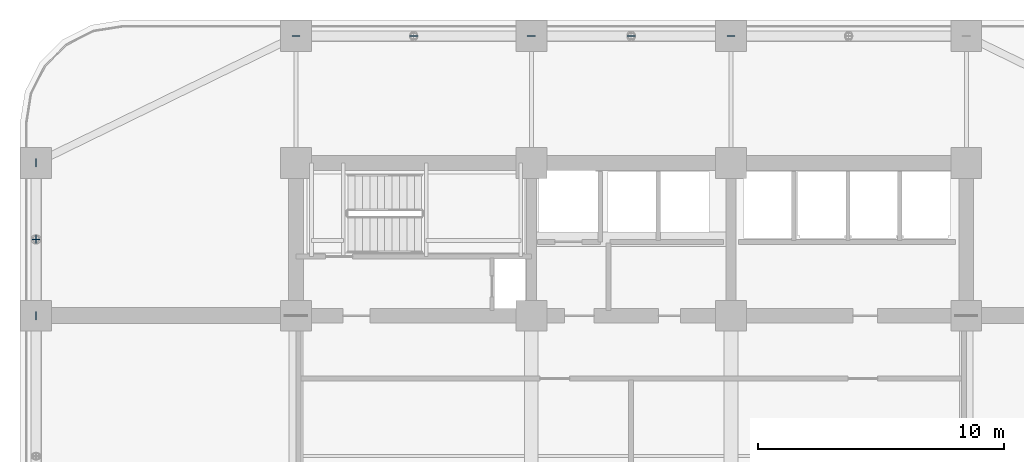
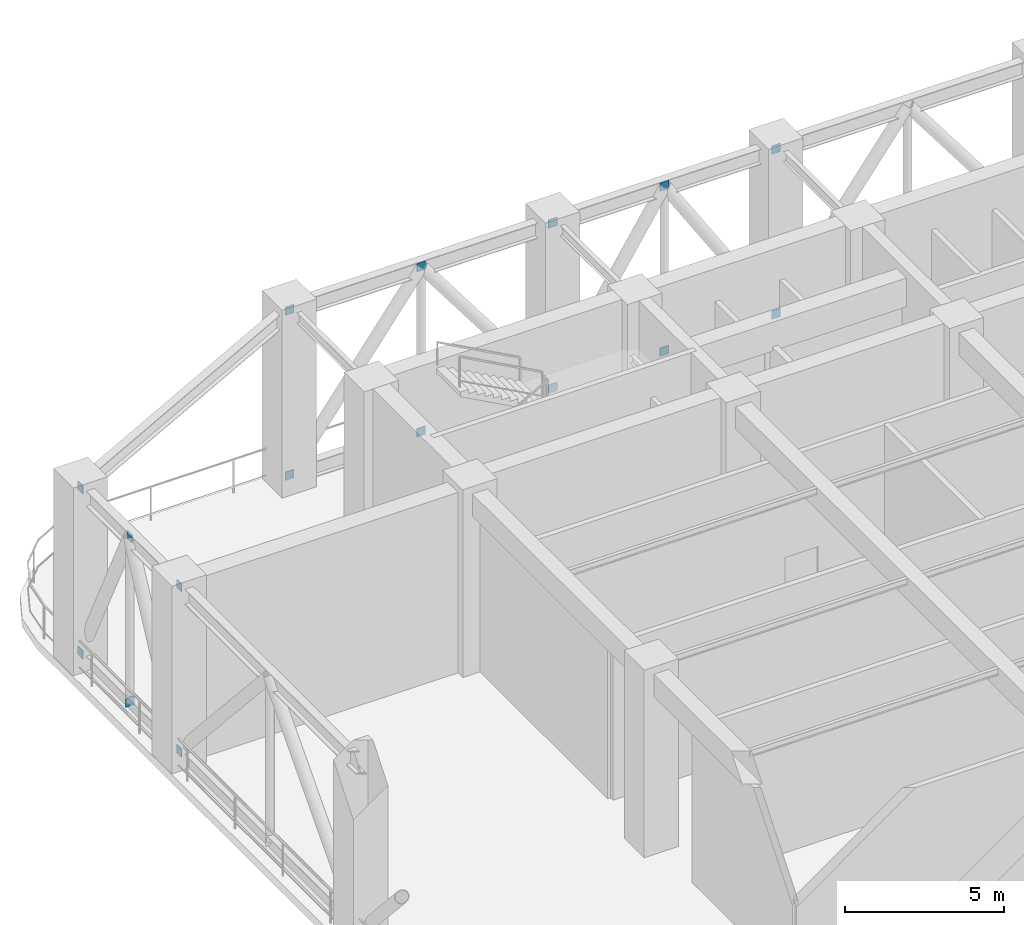
# One storey, part 16 of 20: 16 discrete accessories.
"""IFC4 building model written with IfcOpenShell, lengths in metres."""

import ifcopenshell
import ifcopenshell.guid

model = None  # the IFC model being written
_history = None  # IfcOwnerHistory: only IFC2X3 demands one
_inside = {}  # id of a spatial element -> (the spatial element, [elements in it])
_under = {}  # id of a project, library or spatial element -> (it, [spatial elements below it])
_declared = {}  # id of a project -> (the project, [libraries it declares])
_typed = {}  # id of a type object -> (the type object, [elements of that type])
_made_of = {}  # id of a material, layer set ... -> (it, [elements and type objects made of it])


def new_model(schema):
    """Start an empty IFC model of exactly this schema.

    Asked for "IFC4X3", IfcOpenShell would pick the latest addendum, in which some entities
    have other attributes; the version numbers below select the first issue.
    IFC2X3 requires an IfcOwnerHistory on every rooted entity: one is made here for all.
    """
    global model, _history
    if schema == "IFC4X3":
        model = ifcopenshell.file(schema_version=(4, 3, 0, 0))
    else:
        model = ifcopenshell.file(schema=schema)
    _inside.clear()
    _under.clear()
    _declared.clear()
    _typed.clear()
    _made_of.clear()
    _history = None
    if model.schema == "IFC2X3":
        org = make("IfcOrganization", Name="unknown")
        user = make(
            "IfcPersonAndOrganization",
            ThePerson=make("IfcPerson", FamilyName="unknown"),
            TheOrganization=org,
        )
        app = make(
            "IfcApplication",
            ApplicationDeveloper=org,
            Version="unknown",
            ApplicationFullName="unknown",
            ApplicationIdentifier="unknown",
        )
        _history = make(
            "IfcOwnerHistory",
            OwningUser=user,
            OwningApplication=app,
            ChangeAction="ADDED",
            CreationDate=0,
        )
    return model


def make(cls, **values):
    """One entity of the class cls with the attributes given. An attribute that is None is left unset."""
    return model.create_entity(
        cls, **{name: value for name, value in values.items() if value is not None}
    )


def rooted(cls, **values):
    """An entity with a GlobalId (a new one), such as an element, a storey or a relation."""
    return make(cls, GlobalId=ifcopenshell.guid.new(), OwnerHistory=_history, **values)


def si_unit(unit_type, name, prefix=None):
    """IfcSIUnit, for example si_unit("LENGTHUNIT", "METRE", prefix="MILLI")."""
    return make("IfcSIUnit", UnitType=unit_type, Prefix=prefix, Name=name)


def assignment(units):
    """IfcUnitAssignment: the units of a project."""
    return None if units is None else make("IfcUnitAssignment", Units=units)


def point(xyz):
    """IfcCartesianPoint."""
    return None if xyz is None else make("IfcCartesianPoint", Coordinates=xyz)


def direction(xyz):
    """IfcDirection."""
    return None if xyz is None else make("IfcDirection", DirectionRatios=xyz)


def frame(location, z_axis=None, x_axis=None):
    """IfcAxis2Placement3D, a coordinate frame: its origin and axes. An axis left out is left unset."""
    return make(
        "IfcAxis2Placement3D",
        Location=point(location),
        Axis=direction(z_axis),
        RefDirection=direction(x_axis),
    )


def frame_2d(location, x_axis=None):
    """IfcAxis2Placement2D, a coordinate frame in the plane: its origin and x axis."""
    return make(
        "IfcAxis2Placement2D", Location=point(location), RefDirection=direction(x_axis)
    )


def origin():
    """The frame at (0, 0, 0) with its axes left unset."""
    return frame((0.0, 0.0, 0.0))


def origin_2d():
    """The frame at (0, 0) in the plane with its x axis left unset."""
    return frame_2d((0.0, 0.0))


def place(relative_to, where):
    """IfcLocalPlacement: puts the frame where relative to a parent placement (None: the world)."""
    return make(
        "IfcLocalPlacement", PlacementRelTo=relative_to, RelativePlacement=where
    )


def context(
    kind, dimensions, precision=None, world=None, true_north=None, identifier=None
):
    """IfcGeometricRepresentationContext, for example the 3D "Model" context."""
    return make(
        "IfcGeometricRepresentationContext",
        ContextIdentifier=identifier,
        ContextType=kind,
        CoordinateSpaceDimension=dimensions,
        Precision=precision,
        WorldCoordinateSystem=world,
        TrueNorth=true_north,
    )


def subcontext(parent, identifier, kind, view, scale=None):
    """IfcGeometricRepresentationSubContext, for example "Body" below "Model"."""
    return make(
        "IfcGeometricRepresentationSubContext",
        ContextIdentifier=identifier,
        ContextType=kind,
        ParentContext=parent,
        TargetScale=scale,
        TargetView=view,
    )


def project(units=None, contexts=None):
    """IfcProject with its units and contexts."""
    return rooted(
        "IfcProject",
        Name="project",
        RepresentationContexts=contexts,
        UnitsInContext=assignment(units),
    )


def spatial(cls, under=None, at=None, **own):
    """A site, building, storey or space (cls), placed at a placement, below another one or the project."""
    s = rooted(cls, ObjectPlacement=at, **own)
    if under is not None:
        _under.setdefault(under.id(), (under, []))[1].append(s)
    return s


def profile(cls, at=None, kind="AREA", **sizes):
    """A parametric profile (cls). Its sizes go by their IFC names, for example OverallWidth=200.0."""
    return make(cls, ProfileType=kind, Position=at, **sizes)


def rectangle(**sizes):
    """IfcRectangleProfileDef."""
    return profile("IfcRectangleProfileDef", **sizes)


def extrude(swept, where, along, depth):
    """IfcExtrudedAreaSolid: the profile swept, set in the frame where, extruded along a direction by depth."""
    return make(
        "IfcExtrudedAreaSolid",
        SweptArea=swept,
        Position=where,
        ExtrudedDirection=direction(along),
        Depth=depth,
    )


def shape(context_of_items, identifier, shape_type, items):
    """IfcShapeRepresentation: the items that make up one representation, for example the "Body"."""
    return make(
        "IfcShapeRepresentation",
        ContextOfItems=context_of_items,
        RepresentationIdentifier=identifier,
        RepresentationType=shape_type,
        Items=items,
    )


def material(Name=None, Category=None):
    """IfcMaterial."""
    return make("IfcMaterial", Name=Name, Category=Category)


def layer(
    of_material, thickness, ventilated=None, Name=None, Category=None, Priority=None
):
    """IfcMaterialLayer: one layer of a wall or slab, of a material (None: an air gap)."""
    return make(
        "IfcMaterialLayer",
        Material=of_material,
        LayerThickness=thickness,
        IsVentilated=ventilated,
        Name=Name,
        Category=Category,
        Priority=Priority,
    )


def layer_set(layers, Name=None):
    """IfcMaterialLayerSet."""
    return make("IfcMaterialLayerSet", MaterialLayers=layers, LayerSetName=Name)


def made_of(thing, what):
    """Note that an element or type object is made of a material, layer set ...; save() writes the relation."""
    if what is not None:
        _made_of.setdefault(what.id(), (what, []))[1].append(thing)
    return thing


def type_object(cls, material=None, **own):
    """A type object (cls), such as IfcWallType, which elements share."""
    return made_of(rooted(cls, **own), material)


def element(
    cls,
    number,
    at=None,
    inside=None,
    cuts=None,
    type_object=None,
    material=None,
    context=None,
    identifier="Body",
    shape_type=None,
    held_by="IfcProductDefinitionShape",
    body=None,
    shapes=None,
    **own,
):
    """One element of the class cls, such as IfcWall. Its Tag is "e" and its number.

    at: its placement. inside: the storey or other place that contains it. cuts: it is an
    opening in that element (IfcRelVoidsElement). A single representation is given by context,
    identifier, shape_type and body (its items); several are given by shapes. held_by: the class
    of the entity that holds the representations. save() writes the other relations.
    """
    e = rooted(cls, Tag="e%d" % number, ObjectPlacement=at, **own)
    if body is not None:
        shapes = [shape(context, identifier, shape_type, body)]
    if shapes is not None:
        e.Representation = make(held_by, Representations=shapes)
    if inside is not None:
        _inside.setdefault(inside.id(), (inside, []))[1].append(e)
    if cuts is not None:
        rooted(
            "IfcRelVoidsElement", RelatingBuildingElement=cuts, RelatedOpeningElement=e
        )
    if type_object is not None:
        _typed.setdefault(type_object.id(), (type_object, []))[1].append(e)
    return made_of(e, material)


def aggregate(whole, parts):
    """IfcRelAggregates: a whole, such as a stair, and the parts it consists of."""
    return rooted("IfcRelAggregates", RelatingObject=whole, RelatedObjects=parts)


def save(model, path):
    """Write the relations noted so far, then the file.

    IfcRelAggregates (storeys below a building ...), IfcRelContainedInSpatialStructure (elements
    in a storey), IfcRelDefinesByType, IfcRelAssociatesMaterial and IfcRelDeclares: one each for
    every whole, place, type object, material and project.
    """
    for whole, parts in _under.values():
        aggregate(whole, parts)
    for where, things in _inside.values():
        rooted(
            "IfcRelContainedInSpatialStructure",
            RelatedElements=things,
            RelatingStructure=where,
        )
    for kind, things in _typed.values():
        rooted("IfcRelDefinesByType", RelatedObjects=things, RelatingType=kind)
    for what, things in _made_of.values():
        rooted("IfcRelAssociatesMaterial", RelatedObjects=things, RelatingMaterial=what)
    for by, libraries in _declared.values():
        rooted("IfcRelDeclares", RelatingContext=by, RelatedDefinitions=libraries)
    model.write(path)


model = new_model("IFC4")

# Units and contexts
model_context = context("Model", 3, precision=1e-05, world=origin(), true_north=direction((0.0, 1.0)))
body_context = subcontext(model_context, "Body", "Model", "MODEL_VIEW")
ifc_project = project(units=[si_unit("LENGTHUNIT", "METRE"), si_unit("AREAUNIT", "SQUARE_METRE"), si_unit("VOLUMEUNIT", "CUBIC_METRE"), si_unit("PLANEANGLEUNIT", "RADIAN"), si_unit("MASSUNIT", "GRAM", prefix="KILO")], contexts=[model_context])

# Site, building, storey
site_placement = place(None, origin())
site = spatial("IfcSite", under=ifc_project, at=site_placement, CompositionType="ELEMENT")
building_placement = place(site_placement, origin())
building = spatial("IfcBuilding", under=site, at=building_placement, Name="Svetorya Sky Lyceum", CompositionType="ELEMENT")
storey_placement = place(building_placement, frame((0.0, 0.0, 76.89990234375)))
storey = spatial("IfcBuildingStorey", under=building, at=storey_placement, Name="L19", CompositionType="ELEMENT", Elevation=76.89990234375)

# Discrete accessories
ifc_material = material(Name="Steel S355", Category="steel")
ifc_layer = layer(ifc_material, 0.02392578125)
ifc_layer_set = layer_set([ifc_layer], Name="Steel S355")
discrete_accessory_type = type_object("IfcDiscreteAccessoryType", Name="ACC-GUSSET-24", PredefinedType="BRACKET", material=ifc_layer_set)
for number, where, z_axis, x_axis, name in (
    (1, (25.60009765625, 50.949951171875, 0.13525390625), (0.0, 0.0, 1.0), (1.0, 0.0, 0.0), "L19 Brace Node Gusset Plate 15"),
    (2, (35.14990234375, 50.949951171875, 0.13525390625), (0.0, 0.0, 1.0), (1.0, 0.0, 0.0), "L19 Brace Node Gusset Plate 16"),
    (3, (25.60009765625, 50.949951171875, 6.46484375), (0.0, 0.0, 1.0), (1.0, 0.0, 0.0), "L19 Brace Node Gusset Plate 17"),
    (4, (35.14990234375, 50.949951171875, 6.46484375), (0.0, 0.0, 1.0), (1.0, 0.0, 0.0), "L19 Brace Node Gusset Plate 18"),
    (5, (30.375, 50.949951171875, 6.46484375), (0.0, 0.0, 1.0), (1.0, 0.0, 0.0), "L19 Brace Node Gusset Plate 19"),
    (6, (30.375, 50.949951171875, 0.13525390625), (0.0, 0.0, 1.0), (1.0, 0.0, 0.0), "L19 Brace Node Gusset Plate 20"),
    (7, (43.25, 50.949951171875, 0.13525390625), (0.0, 0.0, 1.0), (1.0, 0.0, 0.0), "L19 Brace Node Gusset Plate 21"),
    (8, (43.25, 50.949951171875, 6.46484375), (0.0, 0.0, 1.0), (1.0, 0.0, 0.0), "L19 Brace Node Gusset Plate 22"),
    (9, (39.199951171875, 50.949951171875, 6.46484375), (0.0, 0.0, 1.0), (1.0, 0.0, 0.0), "L19 Brace Node Gusset Plate 23"),
    (10, (39.199951171875, 50.949951171875, 0.13525390625), (0.0, 0.0, 1.0), (1.0, 0.0, 0.0), "L19 Brace Node Gusset Plate 24"),
):
    element("IfcDiscreteAccessory", number, at=place(storey_placement, frame(where, z_axis=z_axis, x_axis=x_axis)), inside=storey, type_object=discrete_accessory_type, Name=name, PredefinedType="BRACKET", context=body_context, shape_type="SweptSolid", body=[
        extrude(rectangle(XDim=0.320068359375, YDim=0.02392578125, at=origin_2d()), origin(), (0.0, 0.0, 1.0), 0.320068359375),
    ])
for number, where, z_axis, x_axis, name in (
    (11, (15.050048828125, 39.60009765625, 0.13525390625), (0.0, 0.0, 1.0), (1.0, 0.0, 0.0), "L19 Brace Node Gusset Plate 39"),
    (12, (15.050048828125, 39.60009765625, 6.46484375), (0.0, 0.0, 1.0), (1.0, 0.0, 0.0), "L19 Brace Node Gusset Plate 40"),
    (13, (15.050048828125, 45.800048828125, 0.13525390625), (0.0, 0.0, 1.0), (1.0, 0.0, 0.0), "L19 Brace Node Gusset Plate 43"),
    (14, (15.050048828125, 45.800048828125, 6.46484375), (0.0, 0.0, 1.0), (1.0, 0.0, 0.0), "L19 Brace Node Gusset Plate 44"),
    (15, (15.050048828125, 42.699951171875, 6.46484375), (0.0, 0.0, 1.0), (1.0, 0.0, 0.0), "L19 Brace Node Gusset Plate 45"),
):
    element("IfcDiscreteAccessory", number, at=place(storey_placement, frame(where, z_axis=z_axis, x_axis=x_axis)), inside=storey, type_object=discrete_accessory_type, Name=name, PredefinedType="BRACKET", context=body_context, shape_type="SweptSolid", body=[
        extrude(rectangle(XDim=0.02392578125, YDim=0.320068359375, at=origin_2d()), origin(), (0.0, 0.0, 1.0), 0.320068359375),
    ])
discrete_accessory_placement = place(storey_placement, frame((15.050048828125, 42.699951171875, 0.13525390625), z_axis=(0.0, 0.0, 1.0), x_axis=(1.0, 0.0, 0.0)))
element("IfcDiscreteAccessory", 16, at=discrete_accessory_placement, inside=storey, type_object=discrete_accessory_type, Name="L19 Brace Node Gusset Plate 46", PredefinedType="BRACKET", context=body_context, shape_type="SweptSolid", body=[
    extrude(rectangle(XDim=0.320068359375, YDim=0.02392578125, at=origin_2d()), origin(), (0.0, 0.0, 1.0), 0.320068359375),
])

save(model, "model.ifc")
